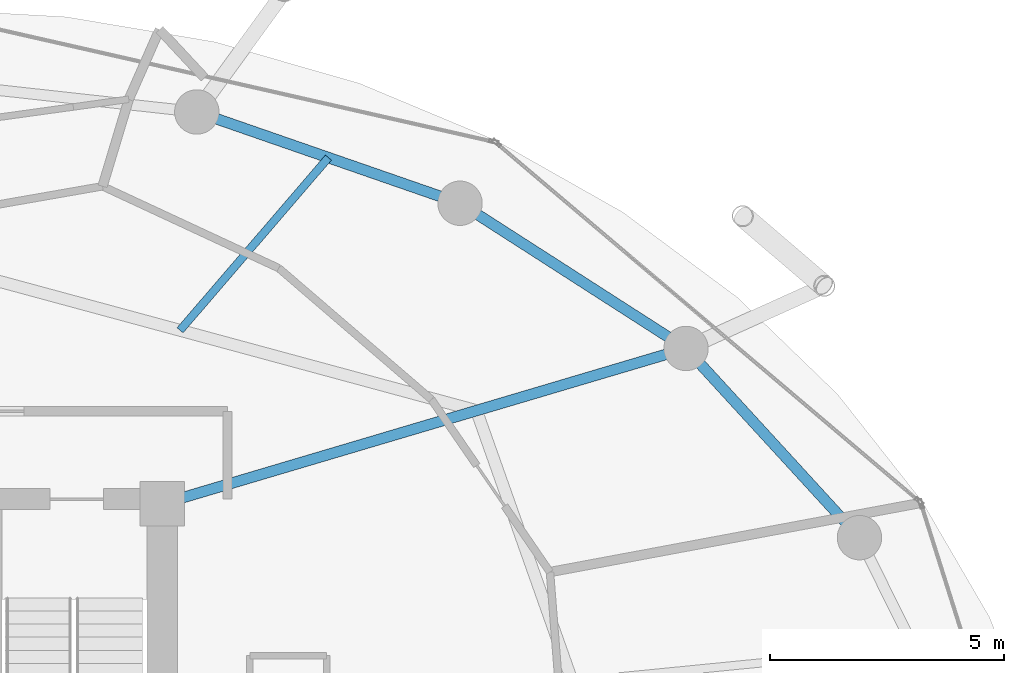
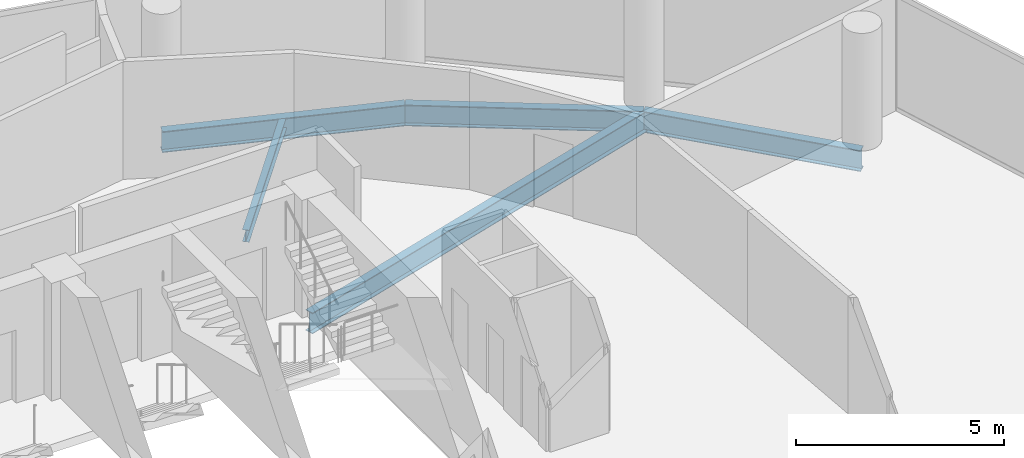
# One storey, part 18 of 26: 5 beams.
"""IFC4 building model written with IfcOpenShell, lengths in metres."""

import ifcopenshell
import ifcopenshell.guid

model = None  # the IFC model being written
_history = None  # IfcOwnerHistory: only IFC2X3 demands one
_inside = {}  # id of a spatial element -> (the spatial element, [elements in it])
_under = {}  # id of a project, library or spatial element -> (it, [spatial elements below it])
_declared = {}  # id of a project -> (the project, [libraries it declares])
_typed = {}  # id of a type object -> (the type object, [elements of that type])
_made_of = {}  # id of a material, layer set ... -> (it, [elements and type objects made of it])


def new_model(schema):
    """Start an empty IFC model of exactly this schema.

    Asked for "IFC4X3", IfcOpenShell would pick the latest addendum, in which some entities
    have other attributes; the version numbers below select the first issue.
    IFC2X3 requires an IfcOwnerHistory on every rooted entity: one is made here for all.
    """
    global model, _history
    if schema == "IFC4X3":
        model = ifcopenshell.file(schema_version=(4, 3, 0, 0))
    else:
        model = ifcopenshell.file(schema=schema)
    _inside.clear()
    _under.clear()
    _declared.clear()
    _typed.clear()
    _made_of.clear()
    _history = None
    if model.schema == "IFC2X3":
        org = make("IfcOrganization", Name="unknown")
        user = make(
            "IfcPersonAndOrganization",
            ThePerson=make("IfcPerson", FamilyName="unknown"),
            TheOrganization=org,
        )
        app = make(
            "IfcApplication",
            ApplicationDeveloper=org,
            Version="unknown",
            ApplicationFullName="unknown",
            ApplicationIdentifier="unknown",
        )
        _history = make(
            "IfcOwnerHistory",
            OwningUser=user,
            OwningApplication=app,
            ChangeAction="ADDED",
            CreationDate=0,
        )
    return model


def make(cls, **values):
    """One entity of the class cls with the attributes given. An attribute that is None is left unset."""
    return model.create_entity(
        cls, **{name: value for name, value in values.items() if value is not None}
    )


def rooted(cls, **values):
    """An entity with a GlobalId (a new one), such as an element, a storey or a relation."""
    return make(cls, GlobalId=ifcopenshell.guid.new(), OwnerHistory=_history, **values)


def si_unit(unit_type, name, prefix=None):
    """IfcSIUnit, for example si_unit("LENGTHUNIT", "METRE", prefix="MILLI")."""
    return make("IfcSIUnit", UnitType=unit_type, Prefix=prefix, Name=name)


def assignment(units):
    """IfcUnitAssignment: the units of a project."""
    return None if units is None else make("IfcUnitAssignment", Units=units)


def point(xyz):
    """IfcCartesianPoint."""
    return None if xyz is None else make("IfcCartesianPoint", Coordinates=xyz)


def direction(xyz):
    """IfcDirection."""
    return None if xyz is None else make("IfcDirection", DirectionRatios=xyz)


def frame(location, z_axis=None, x_axis=None):
    """IfcAxis2Placement3D, a coordinate frame: its origin and axes. An axis left out is left unset."""
    return make(
        "IfcAxis2Placement3D",
        Location=point(location),
        Axis=direction(z_axis),
        RefDirection=direction(x_axis),
    )


def frame_2d(location, x_axis=None):
    """IfcAxis2Placement2D, a coordinate frame in the plane: its origin and x axis."""
    return make(
        "IfcAxis2Placement2D", Location=point(location), RefDirection=direction(x_axis)
    )


def origin():
    """The frame at (0, 0, 0) with its axes left unset."""
    return frame((0.0, 0.0, 0.0))


def origin_2d():
    """The frame at (0, 0) in the plane with its x axis left unset."""
    return frame_2d((0.0, 0.0))


def place(relative_to, where):
    """IfcLocalPlacement: puts the frame where relative to a parent placement (None: the world)."""
    return make(
        "IfcLocalPlacement", PlacementRelTo=relative_to, RelativePlacement=where
    )


def context(
    kind, dimensions, precision=None, world=None, true_north=None, identifier=None
):
    """IfcGeometricRepresentationContext, for example the 3D "Model" context."""
    return make(
        "IfcGeometricRepresentationContext",
        ContextIdentifier=identifier,
        ContextType=kind,
        CoordinateSpaceDimension=dimensions,
        Precision=precision,
        WorldCoordinateSystem=world,
        TrueNorth=true_north,
    )


def subcontext(parent, identifier, kind, view, scale=None):
    """IfcGeometricRepresentationSubContext, for example "Body" below "Model"."""
    return make(
        "IfcGeometricRepresentationSubContext",
        ContextIdentifier=identifier,
        ContextType=kind,
        ParentContext=parent,
        TargetScale=scale,
        TargetView=view,
    )


def project(units=None, contexts=None):
    """IfcProject with its units and contexts."""
    return rooted(
        "IfcProject",
        Name="project",
        RepresentationContexts=contexts,
        UnitsInContext=assignment(units),
    )


def spatial(cls, under=None, at=None, **own):
    """A site, building, storey or space (cls), placed at a placement, below another one or the project."""
    s = rooted(cls, ObjectPlacement=at, **own)
    if under is not None:
        _under.setdefault(under.id(), (under, []))[1].append(s)
    return s


def profile(cls, at=None, kind="AREA", **sizes):
    """A parametric profile (cls). Its sizes go by their IFC names, for example OverallWidth=200.0."""
    return make(cls, ProfileType=kind, Position=at, **sizes)


def i_section(**sizes):
    """IfcIShapeProfileDef."""
    return profile("IfcIShapeProfileDef", **sizes)


def extrude(swept, where, along, depth):
    """IfcExtrudedAreaSolid: the profile swept, set in the frame where, extruded along a direction by depth."""
    return make(
        "IfcExtrudedAreaSolid",
        SweptArea=swept,
        Position=where,
        ExtrudedDirection=direction(along),
        Depth=depth,
    )


def shape(context_of_items, identifier, shape_type, items):
    """IfcShapeRepresentation: the items that make up one representation, for example the "Body"."""
    return make(
        "IfcShapeRepresentation",
        ContextOfItems=context_of_items,
        RepresentationIdentifier=identifier,
        RepresentationType=shape_type,
        Items=items,
    )


def material(Name=None, Category=None):
    """IfcMaterial."""
    return make("IfcMaterial", Name=Name, Category=Category)


def material_profile(
    of_material, cross_section, Name=None, Category=None, Priority=None
):
    """IfcMaterialProfile: a cross section and its material."""
    return make(
        "IfcMaterialProfile",
        Name=Name,
        Material=of_material,
        Profile=cross_section,
        Priority=Priority,
        Category=Category,
    )


def profile_set(profiles, Name=None, composite=None):
    """IfcMaterialProfileSet."""
    return make(
        "IfcMaterialProfileSet",
        Name=Name,
        MaterialProfiles=profiles,
        CompositeProfile=composite,
    )


def made_of(thing, what):
    """Note that an element or type object is made of a material, layer set ...; save() writes the relation."""
    if what is not None:
        _made_of.setdefault(what.id(), (what, []))[1].append(thing)
    return thing


def type_object(cls, material=None, **own):
    """A type object (cls), such as IfcWallType, which elements share."""
    return made_of(rooted(cls, **own), material)


def element(
    cls,
    number,
    at=None,
    inside=None,
    cuts=None,
    type_object=None,
    material=None,
    context=None,
    identifier="Body",
    shape_type=None,
    held_by="IfcProductDefinitionShape",
    body=None,
    shapes=None,
    **own,
):
    """One element of the class cls, such as IfcWall. Its Tag is "e" and its number.

    at: its placement. inside: the storey or other place that contains it. cuts: it is an
    opening in that element (IfcRelVoidsElement). A single representation is given by context,
    identifier, shape_type and body (its items); several are given by shapes. held_by: the class
    of the entity that holds the representations. save() writes the other relations.
    """
    e = rooted(cls, Tag="e%d" % number, ObjectPlacement=at, **own)
    if body is not None:
        shapes = [shape(context, identifier, shape_type, body)]
    if shapes is not None:
        e.Representation = make(held_by, Representations=shapes)
    if inside is not None:
        _inside.setdefault(inside.id(), (inside, []))[1].append(e)
    if cuts is not None:
        rooted(
            "IfcRelVoidsElement", RelatingBuildingElement=cuts, RelatedOpeningElement=e
        )
    if type_object is not None:
        _typed.setdefault(type_object.id(), (type_object, []))[1].append(e)
    return made_of(e, material)


def aggregate(whole, parts):
    """IfcRelAggregates: a whole, such as a stair, and the parts it consists of."""
    return rooted("IfcRelAggregates", RelatingObject=whole, RelatedObjects=parts)


def save(model, path):
    """Write the relations noted so far, then the file.

    IfcRelAggregates (storeys below a building ...), IfcRelContainedInSpatialStructure (elements
    in a storey), IfcRelDefinesByType, IfcRelAssociatesMaterial and IfcRelDeclares: one each for
    every whole, place, type object, material and project.
    """
    for whole, parts in _under.values():
        aggregate(whole, parts)
    for where, things in _inside.values():
        rooted(
            "IfcRelContainedInSpatialStructure",
            RelatedElements=things,
            RelatingStructure=where,
        )
    for kind, things in _typed.values():
        rooted("IfcRelDefinesByType", RelatedObjects=things, RelatingType=kind)
    for what, things in _made_of.values():
        rooted("IfcRelAssociatesMaterial", RelatedObjects=things, RelatingMaterial=what)
    for by, libraries in _declared.values():
        rooted("IfcRelDeclares", RelatingContext=by, RelatedDefinitions=libraries)
    model.write(path)


model = new_model("IFC4")

# Units and contexts
model_context = context("Model", 3, precision=1e-05, world=origin(), true_north=direction((0.0, 1.0)))
body_context = subcontext(model_context, "Body", "Model", "MODEL_VIEW")
ifc_project = project(units=[si_unit("LENGTHUNIT", "METRE"), si_unit("AREAUNIT", "SQUARE_METRE"), si_unit("VOLUMEUNIT", "CUBIC_METRE"), si_unit("PLANEANGLEUNIT", "RADIAN"), si_unit("MASSUNIT", "GRAM", prefix="KILO")], contexts=[model_context])

# Site, building, storey
site_placement = place(None, origin())
site = spatial("IfcSite", under=ifc_project, at=site_placement, CompositionType="ELEMENT")
building_placement = place(site_placement, origin())
building = spatial("IfcBuilding", under=site, at=building_placement, Name="Nuhasar Tower", CompositionType="ELEMENT")
storey_placement = place(building_placement, frame((0.0, 0.0, 170.050048828125)))
storey = spatial("IfcBuildingStorey", under=building, at=storey_placement, Name="L41", CompositionType="ELEMENT", Elevation=170.050048828125)

# Beams
ifc_material = material(Name="Steel S355", Category="steel")
ifc_material_profile_1 = material_profile(ifc_material, i_section(OverallWidth=0.1708984375, OverallDepth=0.35205078125, WebThickness=0.0068359375, FlangeThickness=0.009765625, at=origin_2d()), Name="W14X30")
ifc_profile_set_1 = profile_set([ifc_material_profile_1], Name="Steel S355")
beam_type_1 = type_object("IfcBeamType", Name="BM-JST-W14X30", PredefinedType="JOIST", material=ifc_profile_set_1)
beam_1_placement = place(storey_placement, frame((44.68408203125, 41.011962890625, -0.426025390625), z_axis=(0.651690621509, 0.758484893612, 0.0), x_axis=(-0.758484893612, 0.651690621509, 0.0)))
element("IfcBeam", 1, at=beam_1_placement, inside=storey, type_object=beam_type_1, Name="L41 Secondary Floor Joist 05", PredefinedType="JOIST", context=body_context, shape_type="SweptSolid", body=[
    extrude(i_section(OverallWidth=0.1708984375, OverallDepth=0.35205078125, WebThickness=0.0068359375, FlangeThickness=0.009765625, at=origin_2d()), origin(), (0.0, 0.0, 1.0), 4.87158203125),
])
ifc_material_profile_2 = material_profile(ifc_material, i_section(OverallWidth=0.22900390625, OverallDepth=0.612060546875, WebThickness=0.011962890625, FlangeThickness=0.01953125, at=origin_2d()), Name="W24X84")
ifc_profile_set_2 = profile_set([ifc_material_profile_2], Name="Steel S355")
beam_type_2 = type_object("IfcBeamType", Name="BM-RAD-W24X84", PredefinedType="BEAM", material=ifc_profile_set_2)
beam_2_placement = place(storey_placement, frame((44.300048828125, 37.300048828125, -0.55615234375), z_axis=(0.958746492721, 0.284262489076, 0.0), x_axis=(-0.284262489076, 0.958746492721, 0.0)))
element("IfcBeam", 2, at=beam_2_placement, inside=storey, type_object=beam_type_2, Name="L41 Radial Floor Girder 05", PredefinedType="BEAM", context=body_context, shape_type="SweptSolid", body=[
    extrude(i_section(OverallWidth=0.22900390625, OverallDepth=0.612060546875, WebThickness=0.011962890625, FlangeThickness=0.01953125, at=origin_2d()), origin(), (0.0, 0.0, 1.0), 11.693359375),
])
ifc_material_profile_3 = material_profile(ifc_material, i_section(OverallWidth=0.22998046875, OverallDepth=0.616943359375, WebThickness=0.01318359375, FlangeThickness=0.022216796875, at=origin_2d()), Name="W24X94")
ifc_profile_set_3 = profile_set([ifc_material_profile_3], Name="Steel S355")
beam_type_3 = type_object("IfcBeamType", Name="BM-RING-W24X94", PredefinedType="SPANDREL", material=ifc_profile_set_3)
beam_3_placement = place(storey_placement, frame((59.221923828125, 36.574951171875, -0.55810546875), z_axis=(-0.675654174897, 0.737218716491, 0.0), x_axis=(-0.737218716491, -0.675654174897, 0.0)))
element("IfcBeam", 3, at=beam_3_placement, inside=storey, type_object=beam_type_3, Name="L41 Perimeter Ring Spandrel 03", PredefinedType="SPANDREL", context=body_context, shape_type="SweptSolid", body=[
    extrude(i_section(OverallWidth=0.22998046875, OverallDepth=0.616943359375, WebThickness=0.01318359375, FlangeThickness=0.022216796875, at=origin_2d()), origin(), (0.0, 0.0, 1.0), 5.492431640625),
])
beam_4_placement = place(storey_placement, frame((55.510986328125, 40.6240234375, -0.55810546875), z_axis=(-0.841327486207, 0.540525726448, 0.0), x_axis=(-0.540525726448, -0.841327486207, 0.0)))
element("IfcBeam", 4, at=beam_4_placement, inside=storey, type_object=beam_type_3, Name="L41 Perimeter Ring Spandrel 04", PredefinedType="SPANDREL", context=body_context, shape_type="SweptSolid", body=[
    extrude(i_section(OverallWidth=0.22998046875, OverallDepth=0.616943359375, WebThickness=0.01318359375, FlangeThickness=0.022216796875, at=origin_2d()), origin(), (0.0, 0.0, 1.0), 5.748046875),
])
beam_5_placement = place(storey_placement, frame((50.675048828125, 43.73095703125, -0.55810546875), z_axis=(-0.944801380051, 0.327643636066, 0.0), x_axis=(-0.327643636066, -0.944801380051, 0.0)))
element("IfcBeam", 5, at=beam_5_placement, inside=storey, type_object=beam_type_3, Name="L41 Perimeter Ring Spandrel 05", PredefinedType="SPANDREL", context=body_context, shape_type="SweptSolid", body=[
    extrude(i_section(OverallWidth=0.22998046875, OverallDepth=0.616943359375, WebThickness=0.01318359375, FlangeThickness=0.022216796875, at=origin_2d()), origin(), (0.0, 0.0, 1.0), 5.961181640625),
])

save(model, "model.ifc")
